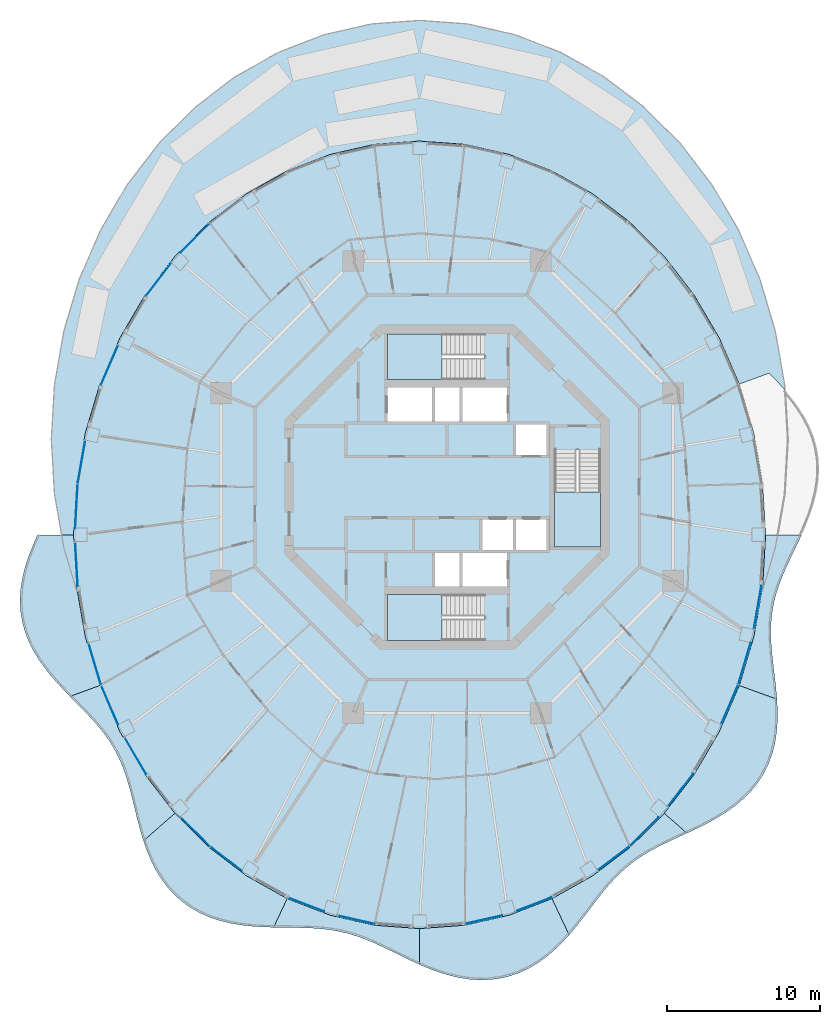
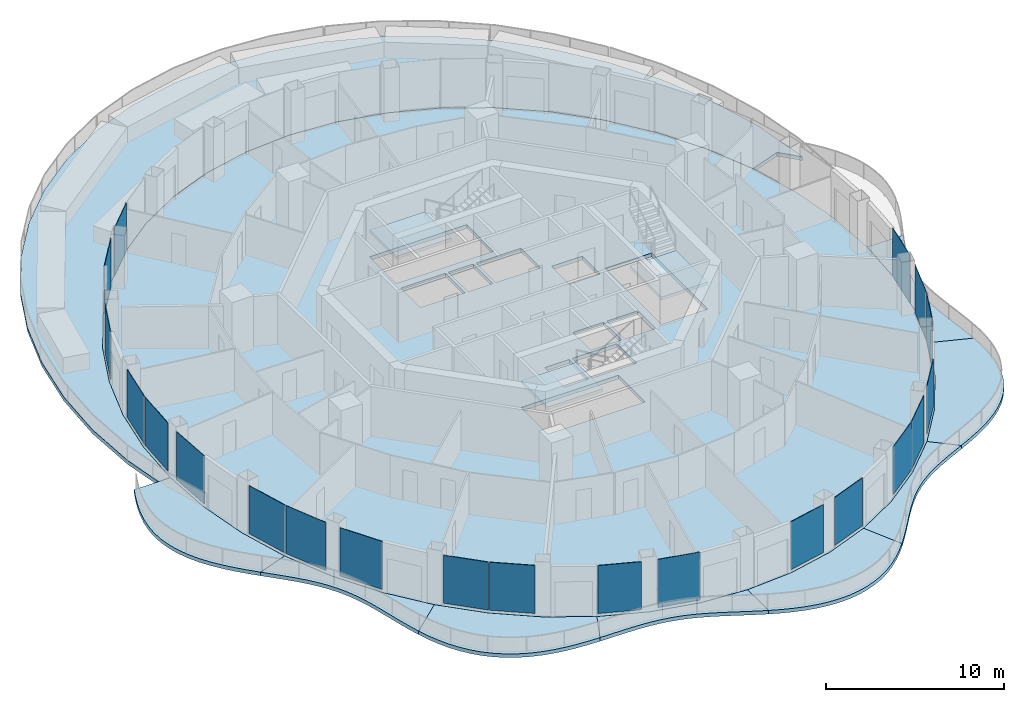
# One storey, part 8 of 17: 21 plates, 13 slabs, 24 elements without a shape of their own.
"""IFC4 building model written with IfcOpenShell, lengths in metres."""

from ifc_helpers import new_model, si_unit, direction, frame, origin, origin_2d, place, context, subcontext, project, spatial, polyline, rectangle, outline, extrude, material, layer, layer_set, type_object, element, aggregate, save


model = new_model("IFC4")

# Units and contexts
model_context = context("Model", 3, precision=1e-05, world=origin(), true_north=direction((0.0, 1.0)))
body_context = subcontext(model_context, "Body", "Model", "MODEL_VIEW")
ifc_project = project(units=[si_unit("LENGTHUNIT", "METRE"), si_unit("AREAUNIT", "SQUARE_METRE"), si_unit("VOLUMEUNIT", "CUBIC_METRE"), si_unit("PLANEANGLEUNIT", "RADIAN"), si_unit("MASSUNIT", "GRAM", prefix="KILO")], contexts=[model_context])

# Site, building, storey
site_placement = place(None, origin())
site = spatial("IfcSite", under=ifc_project, at=site_placement, CompositionType="ELEMENT")
building_placement = place(site_placement, origin())
building = spatial("IfcBuilding", under=site, at=building_placement, Name="Nagisa Residences", CompositionType="ELEMENT")
storey_placement = place(building_placement, frame((0.0, 0.0, 258.5)))
storey = spatial("IfcBuildingStorey", under=building, at=storey_placement, Name="L65", CompositionType="ELEMENT", Elevation=258.5)

# Slabs
ifc_material_1 = material(Name="Concrete C40/50", Category="concrete")
ifc_layer_1 = layer(ifc_material_1, 0.25)
ifc_layer_set_1 = layer_set([ifc_layer_1], Name="BALCONY SLAB 250")
slab_type_1 = type_object("IfcSlabType", Name="BALCONY SLAB 250", PredefinedType="FLOOR", material=ifc_layer_set_1)
slab_1_placement = place(storey_placement, frame((0.0, 0.0, -0.25)))
element("IfcSlab", 1, at=slab_1_placement, inside=storey, type_object=slab_type_1, Name="slab:L65:bal08", PredefinedType="FLOOR", context=body_context, shape_type="SweptSolid", body=[
    extrude(outline(polyline([(-26.77001953125, -3.11767578125), (-27.07177734375, -3.802734375), (-27.345458984375, -4.500244140625), (-27.57763671875, -5.208251953125), (-27.7568359375, -5.923828125), (-27.872802734375, -6.642822265625), (-27.917724609375, -7.361328125), (-27.88623046875, -8.07421875), (-27.776123046875, -8.77734375), (-27.587646484375, -9.465576171875), (-27.32421875, -10.135498046875), (-26.9921875, -10.783935546875), (-26.599609375, -11.40869140625), (-26.156982421875, -12.009521484375), (-25.676513671875, -12.5869140625), (-25.171142578125, -13.142578125), (-24.65380859375, -13.679931640625), (-22.6982421875, -12.968017578125), (-23.649169921875, -9.77978515625), (-24.2265625, -6.4775390625), (-24.419921875, -3.11767578125), (-26.77001953125, -3.11767578125)])), origin(), (0.0, 0.0, 1.0), 0.25),
])
slab_2_placement = place(storey_placement, frame((0.0, 0.0, -0.25)))
element("IfcSlab", 2, at=slab_2_placement, inside=storey, type_object=slab_type_1, Name="slab:L65:bal09", PredefinedType="FLOOR", context=body_context, shape_type="SweptSolid", body=[
    extrude(outline(polyline([(-24.65380859375, -13.679931640625), (-24.153564453125, -14.187255859375), (-23.665283203125, -14.6865234375), (-23.19873046875, -15.18310546875), (-22.761962890625, -15.6826171875), (-22.361083984375, -16.19091796875), (-21.999755859375, -16.71337890625), (-21.6796875, -17.2548828125), (-21.399658203125, -17.81884765625), (-21.15625, -18.408203125), (-20.9443359375, -19.023681640625), (-20.756591796875, -19.664794921875), (-20.584228515625, -20.32958984375), (-20.417236328125, -21.013916015625), (-20.24560546875, -21.712158203125), (-20.058837890625, -22.417724609375), (-19.84716796875, -23.1220703125), (-17.794677734375, -21.318603515625), (-19.74560546875, -18.787109375), (-21.389404296875, -15.98779296875), (-22.6982421875, -12.968017578125), (-24.65380859375, -13.679931640625)])), origin(), (0.0, 0.0, 1.0), 0.25),
])
slab_3_placement = place(storey_placement, frame((0.0, 0.0, -0.25)))
element("IfcSlab", 3, at=slab_3_placement, inside=storey, type_object=slab_type_1, Name="slab:L65:bal10", PredefinedType="FLOOR", context=body_context, shape_type="SweptSolid", body=[
    extrude(outline(polyline([(-19.84716796875, -23.1220703125), (-19.61328125, -23.784423828125), (-19.341796875, -24.4296875), (-19.027099609375, -25.04931640625), (-18.6650390625, -25.635498046875), (-18.253662109375, -26.180908203125), (-17.79248046875, -26.679443359375), (-17.28271484375, -27.12548828125), (-16.727294921875, -27.515625), (-16.130615234375, -27.84814453125), (-15.498291015625, -28.12255859375), (-14.8369140625, -28.341064453125), (-14.1533203125, -28.507080078125), (-13.454833984375, -28.6259765625), (-12.7490234375, -28.70458984375), (-12.042236328125, -28.75146484375), (-11.341064453125, -28.775390625), (-10.456298828125, -26.8984375), (-13.110107421875, -25.4091796875), (-15.570068359375, -23.53857421875), (-17.794677734375, -21.318603515625), (-19.84716796875, -23.1220703125)])), origin(), (0.0, 0.0, 1.0), 0.25),
])
slab_4_placement = place(storey_placement, frame((0.0, 0.0, -0.25)))
element("IfcSlab", 4, at=slab_4_placement, inside=storey, type_object=slab_type_1, Name="slab:L65:bal11", PredefinedType="FLOOR", context=body_context, shape_type="SweptSolid", body=[
    extrude(outline(polyline([(-11.341064453125, -28.775390625), (-10.6748046875, -28.7861328125), (-10.02197265625, -28.79345703125), (-9.38427734375, -28.80615234375), (-8.763427734375, -28.832275390625), (-8.15869140625, -28.87890625), (-7.5693359375, -28.951904296875), (-6.992919921875, -29.0556640625), (-6.426513671875, -29.19287109375), (-5.8662109375, -29.364013671875), (-5.30810546875, -29.568603515625), (-4.748291015625, -29.802978515625), (-4.182373046875, -30.06298828125), (-3.607177734375, -30.341552734375), (-3.01953125, -30.63134765625), (-2.41748046875, -30.92333984375), (-1.800048828125, -31.207763671875), (-1.800048828125, -28.857666015625), (-4.75244140625, -28.637451171875), (-7.654541015625, -27.980712890625), (-10.456298828125, -26.8984375), (-11.341064453125, -28.775390625)])), origin(), (0.0, 0.0, 1.0), 0.25),
])
slab_5_placement = place(storey_placement, frame((0.0, 0.0, -0.25)))
element("IfcSlab", 5, at=slab_5_placement, inside=storey, type_object=slab_type_1, Name="slab:L65:bal12", PredefinedType="FLOOR", context=body_context, shape_type="SweptSolid", body=[
    extrude(outline(polyline([(-1.800048828125, -31.207763671875), (-1.1669921875, -31.474365234375), (-0.51953125, -31.713623046875), (0.14013671875, -31.91552734375), (0.80908203125, -32.071533203125), (1.483154296875, -32.173828125), (2.157958984375, -32.21630859375), (2.828369140625, -32.194580078125), (3.489501953125, -32.10546875), (4.135986328125, -31.948974609375), (4.763671875, -31.7255859375), (5.3681640625, -31.439208984375), (5.946533203125, -31.093994140625), (6.496826171875, -30.696533203125), (7.01806640625, -30.2548828125), (7.51025390625, -29.777099609375), (7.975341796875, -29.272705078125), (6.856201171875, -26.8984375), (4.054443359375, -27.980712890625), (1.152587890625, -28.637451171875), (-1.800048828125, -28.857666015625), (-1.800048828125, -31.207763671875)])), origin(), (0.0, 0.0, 1.0), 0.25),
])
slab_6_placement = place(storey_placement, frame((0.0, 0.0, -0.25)))
element("IfcSlab", 6, at=slab_6_placement, inside=storey, type_object=slab_type_1, Name="slab:L65:bal13", PredefinedType="FLOOR", context=body_context, shape_type="SweptSolid", body=[
    extrude(outline(polyline([(7.975341796875, -29.272705078125), (8.43212890625, -28.7314453125), (8.866943359375, -28.18212890625), (9.28515625, -27.634521484375), (9.692626953125, -27.09814453125), (10.09619140625, -26.580078125), (10.502685546875, -26.086669921875), (10.918701171875, -25.62255859375), (11.349853515625, -25.18994140625), (11.8017578125, -24.7900390625), (12.27783203125, -24.42138671875), (12.78076171875, -24.0810546875), (13.311767578125, -23.76513671875), (13.869873046875, -23.467529296875), (14.452392578125, -23.181884765625), (15.05517578125, -22.901123046875), (15.6728515625, -22.61767578125), (14.19482421875, -21.318603515625), (11.97021484375, -23.53857421875), (9.510009765625, -25.4091796875), (6.856201171875, -26.8984375), (7.975341796875, -29.272705078125)])), origin(), (0.0, 0.0, 1.0), 0.25),
])
slab_7_placement = place(storey_placement, frame((0.0, 0.0, -0.25)))
element("IfcSlab", 7, at=slab_7_placement, inside=storey, type_object=slab_type_1, Name="slab:L65:bal14", PredefinedType="FLOOR", context=body_context, shape_type="SweptSolid", body=[
    extrude(outline(polyline([(15.6728515625, -22.61767578125), (16.3291015625, -22.30908203125), (16.984375, -21.9814453125), (17.62890625, -21.62744140625), (18.25146484375, -21.240478515625), (18.842041015625, -20.816162109375), (19.390625, -20.3515625), (19.888427734375, -19.844970703125), (20.327880859375, -19.296630859375), (20.70361328125, -18.708251953125), (21.01220703125, -18.083251953125), (21.25244140625, -17.426025390625), (21.426025390625, -16.7421875), (21.536376953125, -16.03759765625), (21.58984375, -15.31884765625), (21.593994140625, -14.592041015625), (21.55908203125, -13.86376953125), (19.09814453125, -12.968017578125), (17.78955078125, -15.98779296875), (16.145751953125, -18.787109375), (14.19482421875, -21.318603515625), (15.6728515625, -22.61767578125)])), origin(), (0.0, 0.0, 1.0), 0.25),
])
slab_8_placement = place(storey_placement, frame((0.0, 0.0, -0.25)))
element("IfcSlab", 8, at=slab_8_placement, inside=storey, type_object=slab_type_1, Name="slab:L65:bal15", PredefinedType="FLOOR", context=body_context, shape_type="SweptSolid", body=[
    extrude(outline(polyline([(21.55908203125, -13.86376953125), (21.4931640625, -13.115966796875), (21.409912109375, -12.37744140625), (21.32275390625, -11.65185546875), (21.244140625, -10.942138671875), (21.1865234375, -10.2490234375), (21.16015625, -9.572998046875), (21.17333984375, -8.912353515625), (21.232421875, -8.264892578125), (21.340576171875, -7.627197265625), (21.49853515625, -6.99560546875), (21.703369140625, -6.36572265625), (21.950439453125, -5.73388671875), (22.2314453125, -5.095703125), (22.536376953125, -4.448486328125), (22.853515625, -3.78955078125), (23.169921875, -3.11767578125), (20.820068359375, -3.11767578125), (20.62646484375, -6.4775390625), (20.04931640625, -9.77978515625), (19.09814453125, -12.968017578125), (21.55908203125, -13.86376953125)])), origin(), (0.0, 0.0, 1.0), 0.25),
])

# Curtain wall, plate
ifc_material_2 = material(Name="Concrete-coloured aluminium curtain wall system", Category="concrete")
ifc_layer_2 = layer(ifc_material_2, 0.159912109375)
ifc_layer_set_2 = layer_set([ifc_layer_2], Name="CW1 CURTAIN WALL")
curtain_wall_type = type_object("IfcCurtainWallType", Name="CW1 CURTAIN WALL", PredefinedType="NOTDEFINED", material=ifc_layer_set_2)
curtain_wall_1_placement = place(storey_placement, origin())
curtain_wall_1 = element("IfcCurtainWall", 9, at=curtain_wall_1_placement, inside=storey, type_object=curtain_wall_type, Name="cw:CW1:L65:17", PredefinedType="NOTDEFINED")
ifc_material_3 = material(Name="Clear laminated glass", Category="glass")
ifc_layer_3 = layer(ifc_material_3, 0.028076171875)
ifc_layer_set_3 = layer_set([ifc_layer_3], Name="CW1 GLASS PANEL")
plate_type = type_object("IfcPlateType", Name="CW1 GLASS PANEL", PredefinedType="CURTAIN_PANEL", material=ifc_layer_set_3)
plate_1_placement = place(storey_placement, frame((-16.488037109375, 16.2744140625, 0.14990234375), z_axis=(0.0, 0.0, 1.0), x_axis=(-0.707835924016, -0.706376885714, 0.0)))
plate_1 = element("IfcPlate", 10, at=plate_1_placement, type_object=plate_type, Name="CW1 panel", PredefinedType="CURTAIN_PANEL", context=body_context, shape_type="SweptSolid", body=[
    extrude(rectangle(XDim=2.6328125, YDim=0.028076171875, at=origin_2d()), origin(), (0.0, 0.0, 1.0), 3.2900390625),
])
aggregate(curtain_wall_1, [plate_1])

curtain_wall_2_placement = place(storey_placement, origin())
curtain_wall_2 = element("IfcCurtainWall", 11, at=curtain_wall_2_placement, inside=storey, type_object=curtain_wall_type, Name="cw:CW1:L65:18", PredefinedType="NOTDEFINED")
plate_2_placement = place(storey_placement, frame((-18.862548828125, 13.566650390625, 0.14990234375), z_axis=(0.0, 0.0, 1.0), x_axis=(-0.610429828235, -0.792070340816, 0.0)))
plate_2 = element("IfcPlate", 12, at=plate_2_placement, type_object=plate_type, Name="CW1 panel", PredefinedType="CURTAIN_PANEL", context=body_context, shape_type="SweptSolid", body=[
    extrude(rectangle(XDim=2.68603515625, YDim=0.028076171875, at=origin_2d()), origin(), (0.0, 0.0, 1.0), 3.2900390625),
])
aggregate(curtain_wall_2, [plate_2])

curtain_wall_3_placement = place(storey_placement, origin())
curtain_wall_3 = element("IfcCurtainWall", 13, at=curtain_wall_3_placement, inside=storey, type_object=curtain_wall_type, Name="cw:CW1:L65:20", PredefinedType="NOTDEFINED")
plate_3_placement = place(storey_placement, frame((-22.07177734375, 7.9765625, 0.14990234375), z_axis=(0.0, 0.0, 1.0), x_axis=(-0.397635934147, -0.917543276295, 0.0)))
plate_3 = element("IfcPlate", 14, at=plate_3_placement, type_object=plate_type, Name="CW1 panel", PredefinedType="CURTAIN_PANEL", context=body_context, shape_type="SweptSolid", body=[
    extrude(rectangle(XDim=2.781005859375, YDim=0.028076171875, at=origin_2d()), origin(), (0.0, 0.0, 1.0), 3.2900390625),
])
aggregate(curtain_wall_3, [plate_3])

curtain_wall_4_placement = place(storey_placement, origin())
curtain_wall_4 = element("IfcCurtainWall", 15, at=curtain_wall_4_placement, inside=storey, type_object=curtain_wall_type, Name="cw:CW1:L65:22", PredefinedType="NOTDEFINED")
plate_4_placement = place(storey_placement, frame((-23.903076171875, 1.628173828125, 0.14990234375), z_axis=(0.0, 0.0, 1.0), x_axis=(-0.172190868898, -0.985063604377, 0.0)))
plate_4 = element("IfcPlate", 16, at=plate_4_placement, type_object=plate_type, Name="CW1 panel", PredefinedType="CURTAIN_PANEL", context=body_context, shape_type="SweptSolid", body=[
    extrude(rectangle(XDim=2.84228515625, YDim=0.028076171875, at=origin_2d()), origin(), (0.0, 0.0, 1.0), 3.2900390625),
])
aggregate(curtain_wall_4, [plate_4])

curtain_wall_5_placement = place(storey_placement, origin())
curtain_wall_5 = element("IfcCurtainWall", 17, at=curtain_wall_5_placement, inside=storey, type_object=curtain_wall_type, Name="cw:CW1:L65:23", PredefinedType="NOTDEFINED")
plate_5_placement = place(storey_placement, frame((-24.232177734375, -1.247802734375, 0.14990234375), z_axis=(0.0, 0.0, 1.0), x_axis=(-0.057503492216, -0.998345305184, 0.0)))
plate_5 = element("IfcPlate", 18, at=plate_5_placement, type_object=plate_type, Name="CW1 panel", PredefinedType="CURTAIN_PANEL", context=body_context, shape_type="SweptSolid", body=[
    extrude(rectangle(XDim=2.855224609375, YDim=0.028076171875, at=origin_2d()), origin(), (0.0, 0.0, 1.0), 3.2900390625),
])
aggregate(curtain_wall_5, [plate_5])

curtain_wall_6_placement = place(storey_placement, origin())
curtain_wall_6 = element("IfcCurtainWall", 19, at=curtain_wall_6_placement, inside=storey, type_object=curtain_wall_type, Name="cw:CW1:L65:24", PredefinedType="NOTDEFINED")
plate_6_placement = place(storey_placement, frame((-24.228759765625, -5.047607421875, 0.14990234375), z_axis=(0.0, 0.0, 1.0), x_axis=(0.057503492216, -0.998345305184, 0.0)))
plate_6 = element("IfcPlate", 20, at=plate_6_placement, type_object=plate_type, Name="CW1 panel", PredefinedType="CURTAIN_PANEL", context=body_context, shape_type="SweptSolid", body=[
    extrude(rectangle(XDim=2.855224609375, YDim=0.028076171875, at=origin_2d()), origin(), (0.0, 0.0, 1.0), 3.2900390625),
])
aggregate(curtain_wall_6, [plate_6])

curtain_wall_7_placement = place(storey_placement, origin())
curtain_wall_7 = element("IfcCurtainWall", 21, at=curtain_wall_7_placement, inside=storey, type_object=curtain_wall_type, Name="cw:CW1:L65:26", PredefinedType="NOTDEFINED")
plate_7_placement = place(storey_placement, frame((-23.024169921875, -11.59521484375, 0.14990234375), z_axis=(0.0, 0.0, 1.0), x_axis=(0.285860274038, -0.958271310082, 0.0)))
plate_7 = element("IfcPlate", 22, at=plate_7_placement, type_object=plate_type, Name="CW1 panel", PredefinedType="CURTAIN_PANEL", context=body_context, shape_type="SweptSolid", body=[
    extrude(rectangle(XDim=2.817138671875, YDim=0.028076171875, at=origin_2d()), origin(), (0.0, 0.0, 1.0), 3.2900390625),
])
aggregate(curtain_wall_7, [plate_7])

curtain_wall_8_placement = place(storey_placement, origin())
curtain_wall_8 = element("IfcCurtainWall", 23, at=curtain_wall_8_placement, inside=storey, type_object=curtain_wall_type, Name="cw:CW1:L65:27", PredefinedType="NOTDEFINED")
plate_8_placement = place(storey_placement, frame((-22.0478515625, -14.26708984375, 0.14990234375), z_axis=(0.0, 0.0, 1.0), x_axis=(0.397635934147, -0.917543276295, 0.0)))
plate_8 = element("IfcPlate", 24, at=plate_8_placement, type_object=plate_type, Name="CW1 panel", PredefinedType="CURTAIN_PANEL", context=body_context, shape_type="SweptSolid", body=[
    extrude(rectangle(XDim=2.781005859375, YDim=0.028076171875, at=origin_2d()), origin(), (0.0, 0.0, 1.0), 3.2900390625),
])
aggregate(curtain_wall_8, [plate_8])

curtain_wall_9_placement = place(storey_placement, origin())
curtain_wall_9 = element("IfcCurtainWall", 25, at=curtain_wall_9_placement, inside=storey, type_object=curtain_wall_type, Name="cw:CW1:L65:28", PredefinedType="NOTDEFINED")
plate_9_placement = place(storey_placement, frame((-20.369384765625, -17.56689453125, 0.14990234375), z_axis=(0.0, 0.0, 1.0), x_axis=(0.506348567002, -0.862328898214, 0.0)))
plate_9 = element("IfcPlate", 26, at=plate_9_placement, type_object=plate_type, Name="CW1 panel", PredefinedType="CURTAIN_PANEL", context=body_context, shape_type="SweptSolid", body=[
    extrude(rectangle(XDim=2.736572265625, YDim=0.028076171875, at=origin_2d()), origin(), (0.0, 0.0, 1.0), 3.2900390625),
])
aggregate(curtain_wall_9, [plate_9])

curtain_wall_10_placement = place(storey_placement, origin())
curtain_wall_10 = element("IfcCurtainWall", 27, at=curtain_wall_10_placement, inside=storey, type_object=curtain_wall_type, Name="cw:CW1:L65:30", PredefinedType="NOTDEFINED")
plate_10_placement = place(storey_placement, frame((-16.445556640625, -22.552001953125, 0.14990234375), z_axis=(0.0, 0.0, 1.0), x_axis=(0.707835924016, -0.706376885714, 0.0)))
plate_10 = element("IfcPlate", 28, at=plate_10_placement, type_object=plate_type, Name="CW1 panel", PredefinedType="CURTAIN_PANEL", context=body_context, shape_type="SweptSolid", body=[
    extrude(rectangle(XDim=2.6328125, YDim=0.028076171875, at=origin_2d()), origin(), (0.0, 0.0, 1.0), 3.2900390625),
])
aggregate(curtain_wall_10, [plate_10])

curtain_wall_11_placement = place(storey_placement, origin())
curtain_wall_11 = element("IfcCurtainWall", 29, at=curtain_wall_11_placement, inside=storey, type_object=curtain_wall_type, Name="cw:CW1:L65:31", PredefinedType="NOTDEFINED")
plate_11_placement = place(storey_placement, frame((-14.44677734375, -24.292236328125, 0.14990234375), z_axis=(0.0, 0.0, 1.0), x_axis=(0.79603132756, -0.605255421737, 0.0)))
plate_11 = element("IfcPlate", 30, at=plate_11_placement, type_object=plate_type, Name="CW1 panel", PredefinedType="CURTAIN_PANEL", context=body_context, shape_type="SweptSolid", body=[
    extrude(rectangle(XDim=2.58056640625, YDim=0.028076171875, at=origin_2d()), origin(), (0.0, 0.0, 1.0), 3.2900390625),
])
aggregate(curtain_wall_11, [plate_11])

curtain_wall_12_placement = place(storey_placement, origin())
curtain_wall_12 = element("IfcCurtainWall", 31, at=curtain_wall_12_placement, inside=storey, type_object=curtain_wall_type, Name="cw:CW1:L65:33", PredefinedType="NOTDEFINED")
plate_12_placement = place(storey_placement, frame((-9.20849609375, -27.294677734375, 0.14990234375), z_axis=(0.0, 0.0, 1.0), x_axis=(0.932825759707, -0.360327770268, 0.0)))
plate_12 = element("IfcPlate", 32, at=plate_12_placement, type_object=plate_type, Name="CW1 panel", PredefinedType="CURTAIN_PANEL", context=body_context, shape_type="SweptSolid", body=[
    extrude(rectangle(XDim=2.49365234375, YDim=0.028076171875, at=origin_2d()), origin(), (0.0, 0.0, 1.0), 3.2900390625),
])
aggregate(curtain_wall_12, [plate_12])

curtain_wall_13_placement = place(storey_placement, origin())
curtain_wall_13 = element("IfcCurtainWall", 33, at=curtain_wall_13_placement, inside=storey, type_object=curtain_wall_type, Name="cw:CW1:L65:34", PredefinedType="NOTDEFINED")
plate_13_placement = place(storey_placement, frame((-5.93701171875, -28.287353515625, 0.14990234375), z_axis=(0.0, 0.0, 1.0), x_axis=(0.975327274089, -0.2207639201, 0.0)))
plate_13 = element("IfcPlate", 34, at=plate_13_placement, type_object=plate_type, Name="CW1 panel", PredefinedType="CURTAIN_PANEL", context=body_context, shape_type="SweptSolid", body=[
    extrude(rectangle(XDim=2.46533203125, YDim=0.028076171875, at=origin_2d()), origin(), (0.0, 0.0, 1.0), 3.2900390625),
])
aggregate(curtain_wall_13, [plate_13])

curtain_wall_14_placement = place(storey_placement, origin())
curtain_wall_14 = element("IfcCurtainWall", 35, at=curtain_wall_14_placement, inside=storey, type_object=curtain_wall_type, Name="cw:CW1:L65:37", PredefinedType="NOTDEFINED")
plate_14_placement = place(storey_placement, frame((2.395751953125, -28.274169921875, 0.14990234375), z_axis=(0.0, 0.0, 1.0), x_axis=(0.975327274089, 0.2207639201, 0.0)))
plate_14 = element("IfcPlate", 36, at=plate_14_placement, type_object=plate_type, Name="CW1 panel", PredefinedType="CURTAIN_PANEL", context=body_context, shape_type="SweptSolid", body=[
    extrude(rectangle(XDim=2.46533203125, YDim=0.028076171875, at=origin_2d()), origin(), (0.0, 0.0, 1.0), 3.2900390625),
])
aggregate(curtain_wall_14, [plate_14])

curtain_wall_15_placement = place(storey_placement, origin())
curtain_wall_15 = element("IfcCurtainWall", 37, at=curtain_wall_15_placement, inside=storey, type_object=curtain_wall_type, Name="cw:CW1:L65:38", PredefinedType="NOTDEFINED")
plate_15_placement = place(storey_placement, frame((5.66455078125, -27.27294921875, 0.14990234375), z_axis=(0.0, 0.0, 1.0), x_axis=(0.932825759707, 0.360327770268, 0.0)))
plate_15 = element("IfcPlate", 38, at=plate_15_placement, type_object=plate_type, Name="CW1 panel", PredefinedType="CURTAIN_PANEL", context=body_context, shape_type="SweptSolid", body=[
    extrude(rectangle(XDim=2.49365234375, YDim=0.028076171875, at=origin_2d()), origin(), (0.0, 0.0, 1.0), 3.2900390625),
])
aggregate(curtain_wall_15, [plate_15])

curtain_wall_16_placement = place(storey_placement, origin())
curtain_wall_16 = element("IfcCurtainWall", 39, at=curtain_wall_16_placement, inside=storey, type_object=curtain_wall_type, Name="cw:CW1:L65:40", PredefinedType="NOTDEFINED")
plate_16_placement = place(storey_placement, frame((10.894775390625, -24.255859375, 0.14990234375), z_axis=(0.0, 0.0, 1.0), x_axis=(0.79603132756, 0.605255421737, 0.0)))
plate_16 = element("IfcPlate", 40, at=plate_16_placement, type_object=plate_type, Name="CW1 panel", PredefinedType="CURTAIN_PANEL", context=body_context, shape_type="SweptSolid", body=[
    extrude(rectangle(XDim=2.58056640625, YDim=0.028076171875, at=origin_2d()), origin(), (0.0, 0.0, 1.0), 3.2900390625),
])
aggregate(curtain_wall_16, [plate_16])

curtain_wall_17_placement = place(storey_placement, origin())
curtain_wall_17 = element("IfcCurtainWall", 41, at=curtain_wall_17_placement, inside=storey, type_object=curtain_wall_type, Name="cw:CW1:L65:41", PredefinedType="NOTDEFINED")
plate_17_placement = place(storey_placement, frame((12.887939453125, -22.509765625, 0.14990234375), z_axis=(0.0, 0.0, 1.0), x_axis=(0.707835924016, 0.706376885714, 0.0)))
plate_17 = element("IfcPlate", 42, at=plate_17_placement, type_object=plate_type, Name="CW1 panel", PredefinedType="CURTAIN_PANEL", context=body_context, shape_type="SweptSolid", body=[
    extrude(rectangle(XDim=2.6328125, YDim=0.028076171875, at=origin_2d()), origin(), (0.0, 0.0, 1.0), 3.2900390625),
])
aggregate(curtain_wall_17, [plate_17])

curtain_wall_18_placement = place(storey_placement, origin())
curtain_wall_18 = element("IfcCurtainWall", 43, at=curtain_wall_18_placement, inside=storey, type_object=curtain_wall_type, Name="cw:CW1:L65:42", PredefinedType="NOTDEFINED")
plate_18_placement = place(storey_placement, frame((15.262451171875, -19.802001953125, 0.14990234375), z_axis=(0.0, 0.0, 1.0), x_axis=(0.610429828235, 0.792070340816, 0.0)))
plate_18 = element("IfcPlate", 44, at=plate_18_placement, type_object=plate_type, Name="CW1 panel", PredefinedType="CURTAIN_PANEL", context=body_context, shape_type="SweptSolid", body=[
    extrude(rectangle(XDim=2.68603515625, YDim=0.028076171875, at=origin_2d()), origin(), (0.0, 0.0, 1.0), 3.2900390625),
])
aggregate(curtain_wall_18, [plate_18])

curtain_wall_19_placement = place(storey_placement, origin())
curtain_wall_19 = element("IfcCurtainWall", 45, at=curtain_wall_19_placement, inside=storey, type_object=curtain_wall_type, Name="cw:CW1:L65:44", PredefinedType="NOTDEFINED")
plate_19_placement = place(storey_placement, frame((18.471923828125, -14.212158203125, 0.14990234375), z_axis=(0.0, 0.0, 1.0), x_axis=(0.397635934147, 0.917543276295, 0.0)))
plate_19 = element("IfcPlate", 46, at=plate_19_placement, type_object=plate_type, Name="CW1 panel", PredefinedType="CURTAIN_PANEL", context=body_context, shape_type="SweptSolid", body=[
    extrude(rectangle(XDim=2.781005859375, YDim=0.028076171875, at=origin_2d()), origin(), (0.0, 0.0, 1.0), 3.2900390625),
])
aggregate(curtain_wall_19, [plate_19])

curtain_wall_20_placement = place(storey_placement, origin())
curtain_wall_20 = element("IfcCurtainWall", 47, at=curtain_wall_20_placement, inside=storey, type_object=curtain_wall_type, Name="cw:CW1:L65:45", PredefinedType="NOTDEFINED")
plate_20_placement = place(storey_placement, frame((19.44140625, -11.537841796875, 0.14990234375), z_axis=(0.0, 0.0, 1.0), x_axis=(0.285860274038, 0.958271310082, 0.0)))
plate_20 = element("IfcPlate", 48, at=plate_20_placement, type_object=plate_type, Name="CW1 panel", PredefinedType="CURTAIN_PANEL", context=body_context, shape_type="SweptSolid", body=[
    extrude(rectangle(XDim=2.817138671875, YDim=0.028076171875, at=origin_2d()), origin(), (0.0, 0.0, 1.0), 3.2900390625),
])
aggregate(curtain_wall_20, [plate_20])

curtain_wall_21_placement = place(storey_placement, origin())
curtain_wall_21 = element("IfcCurtainWall", 49, at=curtain_wall_21_placement, inside=storey, type_object=curtain_wall_type, Name="cw:CW1:L65:46", PredefinedType="NOTDEFINED")
plate_21_placement = place(storey_placement, frame((20.302978515625, -7.863525390625, 0.14990234375), z_axis=(0.0, 0.0, 1.0), x_axis=(0.172190868898, 0.985063604377, 0.0)))
plate_21 = element("IfcPlate", 50, at=plate_21_placement, type_object=plate_type, Name="CW1 panel", PredefinedType="CURTAIN_PANEL", context=body_context, shape_type="SweptSolid", body=[
    extrude(rectangle(XDim=2.84228515625, YDim=0.028076171875, at=origin_2d()), origin(), (0.0, 0.0, 1.0), 3.2900390625),
])
aggregate(curtain_wall_21, [plate_21])

# Slabs
ifc_material_4 = material(Name="Concrete C40", Category="concrete")
ifc_layer_4 = layer(ifc_material_4, 0.260009765625)
ifc_layer_set_4 = layer_set([ifc_layer_4], Name="Floor slab 260")
slab_type_2 = type_object("IfcSlabType", Name="Floor slab 260", PredefinedType="FLOOR", material=ifc_layer_set_4)
slab_9_placement = place(storey_placement, frame((0.0, 0.0, -0.260009765625)))
element("IfcSlab", 51, at=slab_9_placement, inside=storey, type_object=slab_type_2, Name="slab:L65:floor", PredefinedType="FLOOR", context=body_context, shape_type="SweptSolid", body=[
    extrude(outline(polyline([(20.820068359375, -3.11767578125), (20.62646484375, 0.241943359375), (20.04931640625, 3.544189453125), (19.09814453125, 6.732666015625), (17.78955078125, 9.752197265625), (16.145751953125, 12.5517578125), (14.19482421875, 15.083251953125), (11.97021484375, 17.30322265625), (9.510009765625, 19.173828125), (6.856201171875, 20.6630859375), (4.054443359375, 21.745361328125), (1.152587890625, 22.402099609375), (-1.800048828125, 22.622314453125), (-4.75244140625, 22.402099609375), (-7.654541015625, 21.745361328125), (-10.456298828125, 20.6630859375), (-13.110107421875, 19.173828125), (-15.570068359375, 17.30322265625), (-17.794677734375, 15.083251953125), (-19.74560546875, 12.5517578125), (-21.389404296875, 9.752197265625), (-22.6982421875, 6.732666015625), (-23.649169921875, 3.544189453125), (-24.2265625, 0.241943359375), (-24.419921875, -3.11767578125), (-24.2265625, -6.4775390625), (-23.649169921875, -9.77978515625), (-22.6982421875, -12.968017578125), (-21.389404296875, -15.98779296875), (-19.74560546875, -18.787109375), (-17.794677734375, -21.318603515625), (-15.570068359375, -23.53857421875), (-13.110107421875, -25.4091796875), (-10.456298828125, -26.8984375), (-7.654541015625, -27.980712890625), (-4.75244140625, -28.637451171875), (-1.800048828125, -28.857666015625), (1.152587890625, -28.637451171875), (4.054443359375, -27.980712890625), (6.856201171875, -26.8984375), (9.510009765625, -25.4091796875), (11.97021484375, -23.53857421875), (14.19482421875, -21.318603515625), (16.145751953125, -18.787109375), (17.78955078125, -15.98779296875), (19.09814453125, -12.968017578125), (20.04931640625, -9.77978515625), (20.62646484375, -6.4775390625), (20.820068359375, -3.11767578125)]), holes=[polyline([(6.5, 2.10009765625), (6.5, 4.10009765625), (4.5, 4.10009765625), (4.5, 2.10009765625), (6.5, 2.10009765625)]), polyline([(4.300048828125, -4.10009765625), (4.300048828125, -2.10009765625), (2.300048828125, -2.10009765625), (2.300048828125, -4.10009765625), (4.300048828125, -4.10009765625)]), polyline([(6.5, -4.10009765625), (6.5, -2.10009765625), (4.5, -2.10009765625), (4.5, -4.10009765625), (6.5, -4.10009765625)]), polyline([(3.89990234375, 4.300048828125), (3.89990234375, 6.5), (1.0, 6.5), (1.0, 4.300048828125), (3.89990234375, 4.300048828125)]), polyline([(3.89990234375, -6.5), (3.89990234375, -4.300048828125), (1.0, -4.300048828125), (1.0, -6.5), (3.89990234375, -6.5)]), polyline([(-1.0, 4.300048828125), (-1.0, 6.5), (-3.89990234375, 6.5), (-3.89990234375, 4.300048828125), (-1.0, 4.300048828125)]), polyline([(0.800048828125, 4.300048828125), (0.800048828125, 6.5), (-0.800048828125, 6.5), (-0.800048828125, 4.300048828125), (0.800048828125, 4.300048828125)]), polyline([(0.800048828125, -6.5), (0.800048828125, -4.300048828125), (-0.800048828125, -4.300048828125), (-0.800048828125, -6.5), (0.800048828125, -6.5)]), polyline([(10.024658203125, -3.89990234375), (7.024658203125, -3.89990234375), (7.024658203125, 2.425048828125), (10.024658203125, 2.425048828125), (10.024658203125, -3.89990234375)]), polyline([(-3.89990234375, 7.024658203125), (-3.89990234375, 10.024658203125), (2.425048828125, 10.024658203125), (2.425048828125, 7.024658203125), (-3.89990234375, 7.024658203125)]), polyline([(-3.89990234375, -10.024658203125), (-3.89990234375, -7.024658203125), (2.425048828125, -7.024658203125), (2.425048828125, -10.024658203125), (-3.89990234375, -10.024658203125)])]), origin(), (0.0, 0.0, 1.0), 0.260009765625),
])
ifc_material_5 = material(Name="Concrete C40/50", Category="concrete")
ifc_layer_5 = layer(ifc_material_5, 0.260009765625)
ifc_layer_set_5 = layer_set([ifc_layer_5], Name="SKY GARDEN ROOF SLAB 260")
slab_type_3 = type_object("IfcSlabType", Name="SKY GARDEN ROOF SLAB 260", PredefinedType="ROOF", material=ifc_layer_set_5)
slab_10_placement = place(storey_placement, frame((0.0, 0.0, -0.260009765625)))
element("IfcSlab", 52, at=slab_10_placement, inside=storey, type_object=slab_type_3, Name="slab:L65:garden0", PredefinedType="ROOF", context=body_context, shape_type="SweptSolid", body=[
    extrude(outline(polyline([(17.78955078125, 9.752197265625), (19.09814453125, 6.732666015625), (21.053955078125, 7.444580078125), (21.571044921875, 6.906982421875), (22.07666015625, 6.351318359375), (22.084228515625, 6.34228515625), (22.06396484375, 6.69287109375), (21.449951171875, 10.206787109375), (20.437744140625, 13.599365234375), (19.045166015625, 16.812744140625), (17.2958984375, 19.791748046875), (15.219970703125, 22.4853515625), (12.852783203125, 24.84765625), (10.235107421875, 26.838134765625), (7.4111328125, 28.4228515625), (4.4296875, 29.574462890625), (1.341796875, 30.2734375), (-1.800048828125, 30.5078125), (-4.941650390625, 30.2734375), (-8.02978515625, 29.574462890625), (-11.01123046875, 28.4228515625), (-13.8349609375, 26.838134765625), (-16.452880859375, 24.84765625), (-18.820068359375, 22.4853515625), (-20.89599609375, 19.791748046875), (-22.645263671875, 16.812744140625), (-24.037841796875, 13.599365234375), (-25.0498046875, 10.206787109375), (-25.6640625, 6.69287109375), (-25.8701171875, 3.11767578125), (-25.6640625, -0.45751953125), (-25.198974609375, -3.11767578125), (-24.419921875, -3.11767578125), (-24.2265625, 0.241943359375), (-23.649169921875, 3.544189453125), (-22.6982421875, 6.732666015625), (-21.389404296875, 9.752197265625), (-19.74560546875, 12.5517578125), (-17.794677734375, 15.083251953125), (-15.570068359375, 17.30322265625), (-13.110107421875, 19.173828125), (-10.456298828125, 20.6630859375), (-7.654541015625, 21.745361328125), (-4.75244140625, 22.402099609375), (-1.800048828125, 22.622314453125), (1.152587890625, 22.402099609375), (4.054443359375, 21.745361328125), (6.856201171875, 20.6630859375), (9.510009765625, 19.173828125), (11.97021484375, 17.30322265625), (14.19482421875, 15.083251953125), (16.145751953125, 12.5517578125), (17.78955078125, 9.752197265625)])), origin(), (0.0, 0.0, 1.0), 0.260009765625),
])

# Stair, slab
ifc_material_6 = material(Name="Concrete C60", Category="concrete")
stair_type = type_object("IfcStairType", Name="Exit stair", PredefinedType="HALF_TURN_STAIR", material=ifc_material_6)
stair_1_placement = place(storey_placement, origin())
stair_1 = element("IfcStair", 53, at=stair_1_placement, inside=storey, type_object=stair_type, Name="L65 Exit stair E", PredefinedType="HALF_TURN_STAIR")
ifc_material_7 = material(Name="Concrete C60", Category="concrete")
ifc_layer_6 = layer(ifc_material_7, 0.199951171875)
ifc_layer_set_6 = layer_set([ifc_layer_6], Name="Stair landing")
slab_type_4 = type_object("IfcSlabType", Name="Stair landing", PredefinedType="LANDING", material=ifc_layer_set_6)
slab_11_placement = place(storey_placement, frame((0.0, 0.0, 1.64990234375)))
slab_11 = element("IfcSlab", 54, at=slab_11_placement, type_object=slab_type_4, Name="ST-E landing 1", PredefinedType="LANDING", context=body_context, shape_type="SweptSolid", body=[
    extrude(outline(polyline([(7.024658203125, -0.324951171875), (7.024658203125, -3.89990234375), (10.024658203125, -3.89990234375), (10.024658203125, -0.324951171875), (7.024658203125, -0.324951171875)])), origin(), (0.0, 0.0, 1.0), 0.2001953125),
])
aggregate(stair_1, [slab_11])

stair_2_placement = place(storey_placement, origin())
stair_2 = element("IfcStair", 55, at=stair_2_placement, inside=storey, type_object=stair_type, Name="L65 Exit stair N", PredefinedType="HALF_TURN_STAIR")
slab_12_placement = place(storey_placement, frame((0.0, 0.0, 1.64990234375)))
slab_12 = element("IfcSlab", 56, at=slab_12_placement, type_object=slab_type_4, Name="ST-N landing 1", PredefinedType="LANDING", context=body_context, shape_type="SweptSolid", body=[
    extrude(outline(polyline([(-0.324951171875, 10.024658203125), (-3.89990234375, 10.024658203125), (-3.89990234375, 7.024658203125), (-0.324951171875, 7.024658203125), (-0.324951171875, 10.024658203125)])), origin(), (0.0, 0.0, 1.0), 0.2001953125),
])
aggregate(stair_2, [slab_12])

stair_3_placement = place(storey_placement, origin())
stair_3 = element("IfcStair", 57, at=stair_3_placement, inside=storey, type_object=stair_type, Name="L65 Exit stair S", PredefinedType="HALF_TURN_STAIR")
slab_13_placement = place(storey_placement, frame((0.0, 0.0, 1.64990234375)))
slab_13 = element("IfcSlab", 58, at=slab_13_placement, type_object=slab_type_4, Name="ST-S landing 1", PredefinedType="LANDING", context=body_context, shape_type="SweptSolid", body=[
    extrude(outline(polyline([(-0.324951171875, -7.024658203125), (-3.89990234375, -7.024658203125), (-3.89990234375, -10.024658203125), (-0.324951171875, -10.024658203125), (-0.324951171875, -7.024658203125)])), origin(), (0.0, 0.0, 1.0), 0.2001953125),
])
aggregate(stair_3, [slab_13])

save(model, "model.ifc")
